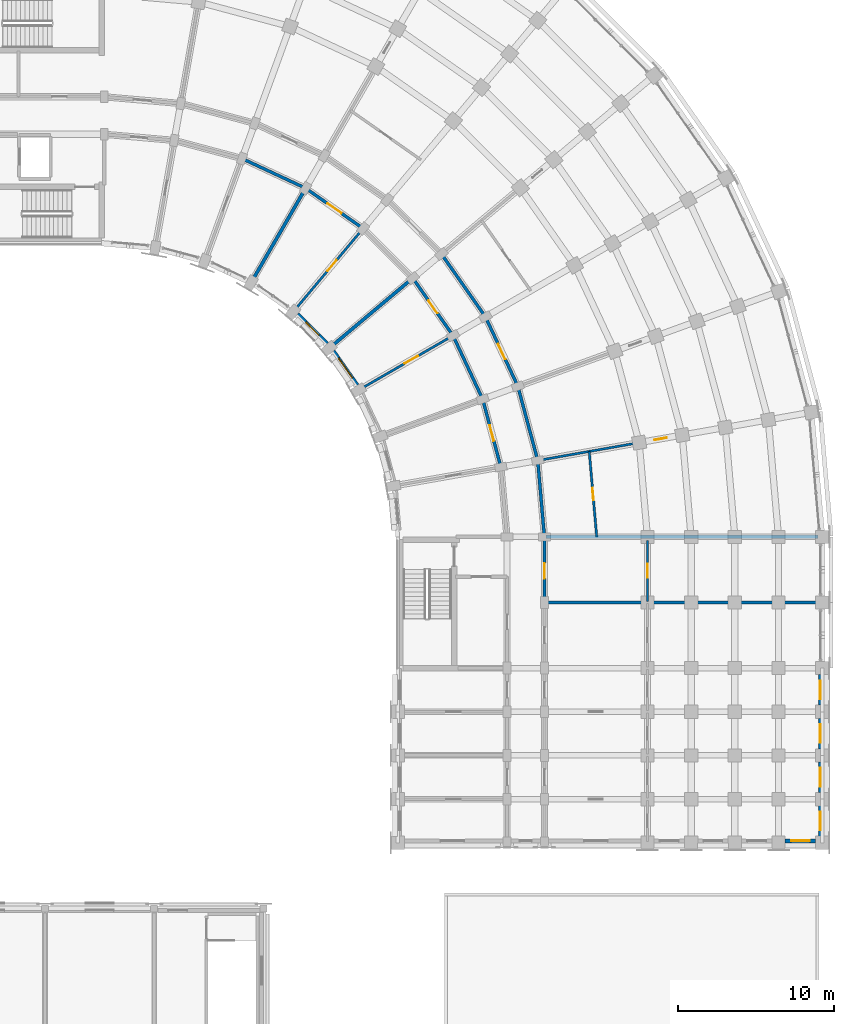
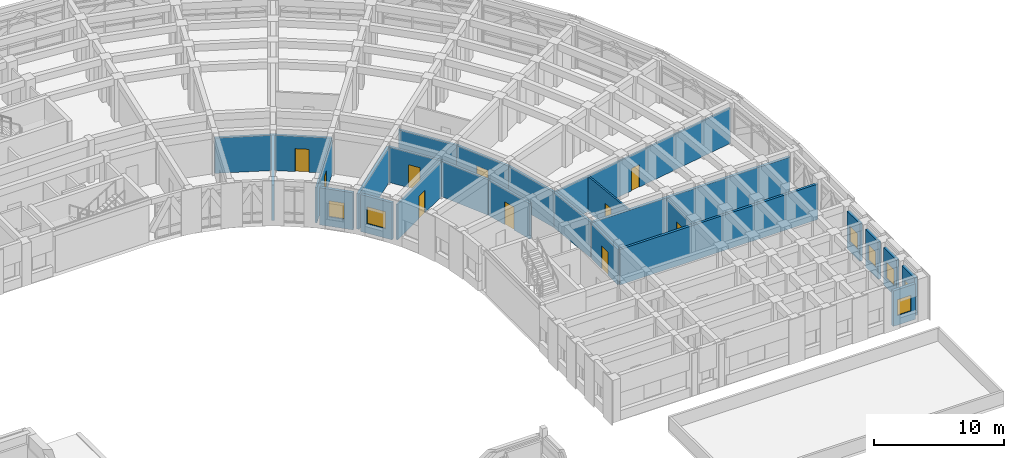
# One storey, part 77 of 97: 26 walls, 10 doors, 7 windows, 17 openings.
"""IFC4 building model written with IfcOpenShell, lengths in metres."""

from ifc_helpers import new_model, si_unit, direction, frame, frame_2d, origin, place, context, subcontext, project, spatial, rectangle, extrude, material, layer, layer_set, type_object, element, fill, save


model = new_model("IFC4")

# Units and contexts
model_context = context("Model", 3, precision=1e-05, world=origin(), true_north=direction((0.0, 1.0)))
body_context = subcontext(model_context, "Body", "Model", "MODEL_VIEW")
ifc_project = project(units=[si_unit("LENGTHUNIT", "METRE"), si_unit("AREAUNIT", "SQUARE_METRE"), si_unit("VOLUMEUNIT", "CUBIC_METRE"), si_unit("PLANEANGLEUNIT", "RADIAN"), si_unit("MASSUNIT", "GRAM", prefix="KILO")], contexts=[model_context])

# Site, building, storey
site_placement = place(None, origin())
site = spatial("IfcSite", under=ifc_project, at=site_placement, CompositionType="ELEMENT")
building_placement = place(site_placement, origin())
building = spatial("IfcBuilding", under=site, at=building_placement, Name="Kiranvali Square Residences", CompositionType="ELEMENT")
storey_placement = place(building_placement, frame((0.0, 0.0, 4.5)))
storey = spatial("IfcBuildingStorey", under=building, at=storey_placement, Name="L01", CompositionType="ELEMENT", Elevation=4.5)

# Wall
ifc_material_1 = material(Name="Autoclaved aerated concrete blockwork masonry", Category="masonry")
ifc_layer_1 = layer(ifc_material_1, 0.199951171875)
ifc_layer_set_1 = layer_set([ifc_layer_1], Name="Autoclaved aerated concrete blockwork masonry")
wall_type_1 = type_object("IfcWallType", Name="WL-COR-200", PredefinedType="STANDARD", material=ifc_layer_set_1)
wall_1_placement = place(storey_placement, frame((128.6240234375, 112.044189453125, 0.0), z_axis=(0.0, 0.0, 1.0), x_axis=(0.906307919131, -0.422617978463, 0.0)))
element("IfcWall", 1, at=wall_1_placement, inside=storey, type_object=wall_type_1, Name="L01 architectural wall WL-L01-B-CCI-2", PredefinedType="STANDARD", context=body_context, shape_type="SweptSolid", body=[
    extrude(rectangle(XDim=4.497314453125, YDim=0.199951171875, at=frame_2d((2.24853515625, 0.0))), origin(), (0.0, 0.0, 1.0), 3.322021484375),
])

# Wall, opening, door
wall_2_placement = place(storey_placement, frame((132.699951171875, 110.1435546875, 0.0), z_axis=(0.0, 0.0, 1.0), x_axis=(0.819155404658, -0.573571637217, 0.0)))
wall_2 = element("IfcWall", 2, at=wall_2_placement, inside=storey, type_object=wall_type_1, Name="L01 architectural wall WL-L01-B-CCI-3", PredefinedType="STANDARD", context=body_context, shape_type="SweptSolid", body=[
    extrude(rectangle(XDim=4.497314453125, YDim=0.199951171875, at=frame_2d((2.24853515625, 0.0))), origin(), (0.0, 0.0, 1.0), 3.322021484375),
])
opening_1_placement = place(wall_2_placement, frame((1.708740234375, 0.0, 0.0)))
opening_1 = element("IfcOpeningElement", 3, at=opening_1_placement, cuts=wall_2, Name="Opening FD-APT-60C", PredefinedType="OPENING", context=body_context, shape_type="SweptSolid", body=[
    extrude(rectangle(XDim=1.080078125, YDim=2.14990234375, at=frame_2d((0.5400390625, 1.074951171875))), frame((0.0, 0.10986328125, 0.0), z_axis=(0.0, -1.0, 0.0), x_axis=(1.0, 0.0, 0.0)), (0.0, 0.0, 1.0), 0.219970703125),
])
ifc_material_2 = material(Name="Fire-rated acoustic hardwood and mineral-core door assembly", Category="wood")
door_type_1 = type_object("IfcDoorType", Name="DR-APT-1080", OperationType="NOTDEFINED", PredefinedType="DOOR", material=ifc_material_2)
door_1_placement = place(opening_1_placement, frame((1.080078125, 0.0, 0.0), z_axis=(0.0, 0.0, 1.0), x_axis=(-1.0, 0.0, 0.0)))
door_1 = element("IfcDoor", 4, at=door_1_placement, inside=storey, type_object=door_type_1, Name="L01 door DR-L01-1044 (DR-APT-1080)", OperationType="SINGLE_SWING_RIGHT", OverallHeight=2.14990234375, OverallWidth=1.080078125, PredefinedType="DOOR", context=body_context, shape_type="SweptSolid", body=[
    extrude(rectangle(XDim=1.080078125, YDim=2.14990234375, at=frame_2d((0.5400390625, 1.074951171875))), frame((0.0, 0.02490234375, 0.0), z_axis=(0.0, -1.0, 0.0), x_axis=(1.0, 0.0, 0.0)), (0.0, 0.0, 1.0), 0.050048828125),
])
fill(opening_1, door_1)

wall_3_placement = place(storey_placement, frame((139.56396484375, 104.384033203125, 0.0), z_axis=(0.0, 0.0, 1.0), x_axis=(0.573571637217, -0.819155404658, 0.0)))
wall_3 = element("IfcWall", 5, at=wall_3_placement, inside=storey, type_object=wall_type_1, Name="L01 architectural wall WL-L01-B-CCI-5", PredefinedType="STANDARD", context=body_context, shape_type="SweptSolid", body=[
    extrude(rectangle(XDim=4.497314453125, YDim=0.199951171875, at=frame_2d((2.24853515625, 0.0))), origin(), (0.0, 0.0, 1.0), 3.322021484375),
])
opening_2_placement = place(wall_3_placement, frame((1.74853515625, 0.0, 0.0)))
opening_2 = element("IfcOpeningElement", 6, at=opening_2_placement, cuts=wall_3, Name="Opening FD-APT-60", PredefinedType="OPENING", context=body_context, shape_type="SweptSolid", body=[
    extrude(rectangle(XDim=1.0, YDim=2.14990234375, at=frame_2d((0.5, 1.074951171875))), frame((0.0, 0.10986328125, 0.0), z_axis=(0.0, -1.0, 0.0), x_axis=(1.0, 0.0, 0.0)), (0.0, 0.0, 1.0), 0.219970703125),
])
door_type_2 = type_object("IfcDoorType", Name="DR-APT-1000", OperationType="NOTDEFINED", PredefinedType="DOOR", material=ifc_material_2)
door_2_placement = place(opening_2_placement, origin())
door_2 = element("IfcDoor", 7, at=door_2_placement, inside=storey, type_object=door_type_2, Name="L01 door DR-L01-1045 (DR-APT-1000)", OperationType="SINGLE_SWING_LEFT", OverallHeight=2.14990234375, OverallWidth=1.0, PredefinedType="DOOR", context=body_context, shape_type="SweptSolid", body=[
    extrude(rectangle(XDim=1.0, YDim=2.14990234375, at=frame_2d((0.5, 1.074951171875))), frame((0.0, 0.02490234375, 0.0), z_axis=(0.0, -1.0, 0.0), x_axis=(1.0, 0.0, 0.0)), (0.0, 0.0, 1.0), 0.050048828125),
])
fill(opening_2, door_2)

# Walls
wall_4_placement = place(storey_placement, frame((141.40234375, 105.926513671875, 0.0), z_axis=(0.0, 0.0, 1.0), x_axis=(0.573592335331, -0.819140911474, 0.0)))
element("IfcWall", 8, at=wall_4_placement, inside=storey, type_object=wall_type_1, Name="L01 architectural wall WL-L01-B-CCO-5", PredefinedType="STANDARD", context=body_context, shape_type="SweptSolid", body=[
    extrude(rectangle(XDim=4.915771484375, YDim=0.199951171875, at=frame_2d((2.4580078125, 0.0))), origin(), (0.0, 0.0, 1.0), 3.322021484375),
])
wall_5_placement = place(storey_placement, frame((142.1435546875, 100.699951171875, 0.0), z_axis=(0.0, 0.0, 1.0), x_axis=(0.422617978463, -0.906307919131, 0.0)))
element("IfcWall", 9, at=wall_5_placement, inside=storey, type_object=wall_type_1, Name="L01 architectural wall WL-L01-B-CCI-6", PredefinedType="STANDARD", context=body_context, shape_type="SweptSolid", body=[
    extrude(rectangle(XDim=4.497314453125, YDim=0.199951171875, at=frame_2d((2.24853515625, 0.0))), origin(), (0.0, 0.0, 1.0), 3.322021484375),
])

# Wall, opening, door
wall_6_placement = place(storey_placement, frame((144.221923828125, 101.89990234375, 0.0), z_axis=(0.0, 0.0, 1.0), x_axis=(0.422629854778, -0.906302381024, 0.0)))
wall_6 = element("IfcWall", 10, at=wall_6_placement, inside=storey, type_object=wall_type_1, Name="L01 architectural wall WL-L01-B-CCO-6", PredefinedType="STANDARD", context=body_context, shape_type="SweptSolid", body=[
    extrude(rectangle(XDim=4.915283203125, YDim=0.199951171875, at=frame_2d((2.45751953125, 0.0))), origin(), (0.0, 0.0, 1.0), 3.322021484375),
])
opening_3_placement = place(wall_6_placement, frame((1.917724609375, 0.0, 0.0)))
opening_3 = element("IfcOpeningElement", 11, at=opening_3_placement, cuts=wall_6, Name="Opening FD-APT-60C", PredefinedType="OPENING", context=body_context, shape_type="SweptSolid", body=[
    extrude(rectangle(XDim=1.080078125, YDim=2.14990234375, at=frame_2d((0.5400390625, 1.074951171875))), frame((0.0, 0.10986328125, 0.0), z_axis=(0.0, -1.0, 0.0), x_axis=(1.0, 0.0, 0.0)), (0.0, 0.0, 1.0), 0.219970703125),
])
door_3_placement = place(opening_3_placement, origin())
door_3 = element("IfcDoor", 12, at=door_3_placement, inside=storey, type_object=door_type_1, Name="L01 door DR-L01-1041 (DR-APT-1080)", OperationType="SINGLE_SWING_LEFT", OverallHeight=2.14990234375, OverallWidth=1.080078125, PredefinedType="DOOR", context=body_context, shape_type="SweptSolid", body=[
    extrude(rectangle(XDim=1.080078125, YDim=2.14990234375, at=frame_2d((0.5400390625, 1.074951171875))), frame((0.0, 0.02490234375, 0.0), z_axis=(0.0, -1.0, 0.0), x_axis=(1.0, 0.0, 0.0)), (0.0, 0.0, 1.0), 0.050048828125),
])
fill(opening_3, door_3)

wall_7_placement = place(storey_placement, frame((144.044189453125, 96.6240234375, 0.0), z_axis=(0.0, 0.0, 1.0), x_axis=(0.258787642463, -0.965934240054, 0.0)))
wall_7 = element("IfcWall", 13, at=wall_7_placement, inside=storey, type_object=wall_type_1, Name="L01 architectural wall WL-L01-B-CCI-7", PredefinedType="STANDARD", context=body_context, shape_type="SweptSolid", body=[
    extrude(rectangle(XDim=4.497314453125, YDim=0.199951171875, at=frame_2d((2.24853515625, 0.0))), origin(), (0.0, 0.0, 1.0), 3.322021484375),
])
opening_4_placement = place(wall_7_placement, frame((1.728515625, 0.0, 0.0)))
opening_4 = element("IfcOpeningElement", 14, at=opening_4_placement, cuts=wall_7, Name="Opening FD-APT-60B", PredefinedType="OPENING", context=body_context, shape_type="SweptSolid", body=[
    extrude(rectangle(XDim=1.0400390625, YDim=2.14990234375, at=frame_2d((0.52001953125, 1.074951171875))), frame((0.0, 0.10986328125, 0.0), z_axis=(0.0, -1.0, 0.0), x_axis=(1.0, 0.0, 0.0)), (0.0, 0.0, 1.0), 0.219970703125),
])
door_type_3 = type_object("IfcDoorType", Name="DR-APT-1040", OperationType="NOTDEFINED", PredefinedType="DOOR", material=ifc_material_2)
door_4_placement = place(opening_4_placement, frame((1.0400390625, 0.0, 0.0), z_axis=(0.0, 0.0, 1.0), x_axis=(-1.0, 0.0, 0.0)))
door_4 = element("IfcDoor", 15, at=door_4_placement, inside=storey, type_object=door_type_3, Name="L01 door DR-L01-1046 (DR-APT-1040)", OperationType="SINGLE_SWING_RIGHT", OverallHeight=2.14990234375, OverallWidth=1.0400390625, PredefinedType="DOOR", context=body_context, shape_type="SweptSolid", body=[
    extrude(rectangle(XDim=1.0400390625, YDim=2.14990234375, at=frame_2d((0.52001953125, 1.074951171875))), frame((0.0, 0.02490234375, 0.0), z_axis=(0.0, -1.0, 0.0), x_axis=(1.0, 0.0, 0.0)), (0.0, 0.0, 1.0), 0.050048828125),
])
fill(opening_4, door_4)

# Walls
wall_8_placement = place(storey_placement, frame((146.29931640625, 97.445068359375, 0.0), z_axis=(0.0, 0.0, 1.0), x_axis=(0.258803112091, -0.965930095386, 0.0)))
element("IfcWall", 16, at=wall_8_placement, inside=storey, type_object=wall_type_1, Name="L01 architectural wall WL-L01-B-CCO-7", PredefinedType="STANDARD", context=body_context, shape_type="SweptSolid", body=[
    extrude(rectangle(XDim=4.915771484375, YDim=0.199951171875, at=frame_2d((2.4580078125, 0.0))), origin(), (0.0, 0.0, 1.0), 3.322021484375),
])
wall_9_placement = place(storey_placement, frame((147.571533203125, 92.69677734375, 0.0), z_axis=(0.0, 0.0, 1.0), x_axis=(0.087167566415, -0.996193663584, 0.0)))
element("IfcWall", 17, at=wall_9_placement, inside=storey, type_object=wall_type_1, Name="L01 architectural wall WL-L01-B-CCO-8", PredefinedType="STANDARD", context=body_context, shape_type="SweptSolid", body=[
    extrude(rectangle(XDim=4.91552734375, YDim=0.199951171875, at=frame_2d((2.457763671875, 0.0))), origin(), (0.0, 0.0, 1.0), 3.322021484375),
])

# Wall, opening, door
wall_10_placement = place(storey_placement, frame((148.0, 87.64990234375, 0.0), z_axis=(0.0, 0.0, 1.0), x_axis=(0.0, -1.0, 0.0)))
wall_10 = element("IfcWall", 18, at=wall_10_placement, inside=storey, type_object=wall_type_1, Name="L01 architectural wall WL-L01-B-A2CF-C0", PredefinedType="STANDARD", context=body_context, shape_type="SweptSolid", body=[
    extrude(rectangle(XDim=4.0498046875, YDim=0.199951171875, at=frame_2d((2.02490234375, 0.0))), origin(), (0.0, 0.0, 1.0), 3.322021484375),
])
opening_5_placement = place(wall_10_placement, frame((1.52490234375, 0.0, 0.0)))
opening_5 = element("IfcOpeningElement", 19, at=opening_5_placement, cuts=wall_10, Name="Opening FD-APT-60", PredefinedType="OPENING", context=body_context, shape_type="SweptSolid", body=[
    extrude(rectangle(XDim=1.0, YDim=2.14990234375, at=frame_2d((0.5, 1.074951171875))), frame((0.0, 0.10986328125, 0.0), z_axis=(0.0, -1.0, 0.0), x_axis=(1.0, 0.0, 0.0)), (0.0, 0.0, 1.0), 0.219970703125),
])
door_5_placement = place(opening_5_placement, origin())
door_5 = element("IfcDoor", 20, at=door_5_placement, inside=storey, type_object=door_type_2, Name="L01 door DR-L01-1047 (DR-APT-1000)", OperationType="SINGLE_SWING_LEFT", OverallHeight=2.14990234375, OverallWidth=1.0, PredefinedType="DOOR", context=body_context, shape_type="SweptSolid", body=[
    extrude(rectangle(XDim=1.0, YDim=2.14990234375, at=frame_2d((0.5, 1.074951171875))), frame((0.0, 0.02490234375, 0.0), z_axis=(0.0, -1.0, 0.0), x_axis=(1.0, 0.0, 0.0)), (0.0, 0.0, 1.0), 0.050048828125),
])
fill(opening_5, door_5)

# Walls
ifc_layer_2 = layer(ifc_material_1, 0.219970703125)
ifc_layer_set_2 = layer_set([ifc_layer_2], Name="Autoclaved aerated concrete blockwork masonry")
wall_type_2 = type_object("IfcWallType", Name="WL-DEM-220", PredefinedType="STANDARD", material=ifc_layer_set_2)
for number, where, z_axis, x_axis, name in (
    (21, (129.300048828125, 104.25439453125, 0.0), (0.0, 0.0, 1.0), (0.499997969693, 0.866026575979, 0.0), "L01 architectural wall WL-L01-B-RADI-3"),
    (22, (134.354736328125, 100.012939453125, 0.0), (0.0, 0.0, 1.0), (0.766046761698, 0.642784846501, 0.0), "L01 architectural wall WL-L01-B-RADI-5"),
):
    element("IfcWall", number, at=place(storey_placement, frame(where, z_axis=z_axis, x_axis=x_axis)), inside=storey, type_object=wall_type_2, Name=name, PredefinedType="STANDARD", context=body_context, shape_type="SweptSolid", body=[
        extrude(rectangle(XDim=6.75, YDim=0.219970703125, at=frame_2d((3.375, 0.0))), origin(), (0.0, 0.0, 1.0), 3.322021484375),
    ])
wall_11_placement = place(storey_placement, frame((148.050048828125, 83.60009765625, 0.0), z_axis=(0.0, 0.0, 1.0), x_axis=(1.0, 0.0, 0.0)))
element("IfcWall", 23, at=wall_11_placement, inside=storey, type_object=wall_type_2, Name="L01 architectural wall WL-L01-B-A2CF-MID", PredefinedType="STANDARD", context=body_context, shape_type="SweptSolid", body=[
    extrude(rectangle(XDim=17.530029296875, YDim=0.219970703125, at=frame_2d((8.76513671875, 0.0))), origin(), (0.0, 0.0, 1.0), 3.322021484375),
])
ifc_layer_3 = layer(ifc_material_1, 0.22998046875)
ifc_layer_set_3 = layer_set([ifc_layer_3], Name="Autoclaved aerated concrete blockwork masonry")
wall_type_3 = type_object("IfcWallType", Name="WL-DEM-230", PredefinedType="STANDARD", material=ifc_layer_set_3)
wall_12_placement = place(storey_placement, frame((148.10009765625, 87.800048828125, 0.0), z_axis=(0.0, 0.0, 1.0), x_axis=(1.0, 0.0, 0.0)))
element("IfcWall", 24, at=wall_12_placement, inside=storey, type_object=wall_type_3, Name="L01 architectural wall WL-L01-B-RADO-9", PredefinedType="STANDARD", context=body_context, shape_type="SweptSolid", body=[
    extrude(rectangle(XDim=17.419921875, YDim=0.22998046875, at=frame_2d((8.7099609375, 0.0))), origin(), (0.0, 0.0, 1.0), 3.322021484375),
])

# Wall, opening, window
ifc_material_3 = material(Name="Breathable lime-rendered clay brick masonry", Category="masonry")
ifc_layer_4 = layer(ifc_material_3, 0.25)
ifc_layer_set_4 = layer_set([ifc_layer_4], Name="Breathable lime-rendered clay brick masonry")
wall_type_4 = type_object("IfcWallType", Name="WL-EXT-250", PredefinedType="STANDARD", material=ifc_layer_set_4)
wall_13_placement = place(storey_placement, frame((132.1875, 102.0751953125, 0.0), z_axis=(0.0, 0.0, 1.0), x_axis=(0.707106781187, -0.707106781187, 0.0)))
wall_13 = element("IfcWall", 25, at=wall_13_placement, inside=storey, type_object=wall_type_4, Name="L01 exterior wall B-L01-GDN-04", PredefinedType="STANDARD", context=body_context, shape_type="SweptSolid", body=[
    extrude(rectangle(XDim=2.669677734375, YDim=0.25, at=frame_2d((1.3349609375, 0.0))), origin(), (0.0, 0.0, 1.0), 3.471923828125),
])
opening_6_placement = place(wall_13_placement, frame((0.73486328125, 0.0, 0.8798828125)))
opening_6 = element("IfcOpeningElement", 26, at=opening_6_placement, cuts=wall_13, Name="Opening W-06", PredefinedType="OPENING", context=body_context, shape_type="SweptSolid", body=[
    extrude(rectangle(XDim=1.199951171875, YDim=1.5, at=frame_2d((0.60009765625, 0.75))), frame((0.0, 0.135009765625, 0.0), z_axis=(0.0, -1.0, 0.0), x_axis=(1.0, 0.0, 0.0)), (0.0, 0.0, 1.0), 0.27001953125),
])
ifc_material_4 = material(Name="Solar-control low-e double glazing", Category="glass")
window_type_1 = type_object("IfcWindowType", Name="WIN-RES-1200x1500", PartitioningType="SINGLE_PANEL", PredefinedType="WINDOW", material=ifc_material_4)
window_1_placement = place(opening_6_placement, origin())
window_1 = element("IfcWindow", 27, at=window_1_placement, inside=storey, type_object=window_type_1, Name="L01 recessed window B-L01-GDN-04", OverallHeight=1.5, OverallWidth=1.199951171875, PartitioningType="SINGLE_PANEL", PredefinedType="WINDOW", context=body_context, shape_type="SweptSolid", body=[
    extrude(rectangle(XDim=1.199951171875, YDim=1.5, at=frame_2d((0.60009765625, 0.75))), frame((0.0, 0.030029296875, 0.0), z_axis=(0.0, -1.0, 0.0), x_axis=(1.0, 0.0, 0.0)), (0.0, 0.0, 1.0), 0.06005859375),
])
fill(opening_6, window_1)

wall_14_placement = place(storey_placement, frame((134.478271484375, 99.707275390625, 0.0), z_axis=(0.0, 0.0, 1.0), x_axis=(0.573591230309, -0.819141685249, 0.0)))
wall_14 = element("IfcWall", 28, at=wall_14_placement, inside=storey, type_object=wall_type_4, Name="L01 exterior wall B-L01-GDN-05", PredefinedType="STANDARD", context=body_context, shape_type="SweptSolid", body=[
    extrude(rectangle(XDim=2.669677734375, YDim=0.25, at=frame_2d((1.3349609375, 0.0))), origin(), (0.0, 0.0, 1.0), 3.471923828125),
])
opening_7_placement = place(wall_14_placement, frame((0.559814453125, 0.0, 0.8798828125)))
opening_7 = element("IfcOpeningElement", 29, at=opening_7_placement, cuts=wall_14, Name="Opening W-18", PredefinedType="OPENING", context=body_context, shape_type="SweptSolid", body=[
    extrude(rectangle(XDim=1.550048828125, YDim=1.60009765625, at=frame_2d((0.77490234375, 0.800048828125))), frame((0.0, 0.135009765625, 0.0), z_axis=(0.0, -1.0, 0.0), x_axis=(1.0, 0.0, 0.0)), (0.0, 0.0, 1.0), 0.27001953125),
])
window_type_2 = type_object("IfcWindowType", Name="WIN-GDN-1550x1600", PartitioningType="DOUBLE_PANEL_VERTICAL", PredefinedType="WINDOW", material=ifc_material_4)
window_2_placement = place(opening_7_placement, origin())
window_2 = element("IfcWindow", 30, at=window_2_placement, inside=storey, type_object=window_type_2, Name="L01 recessed window B-L01-GDN-05", OverallHeight=1.60009765625, OverallWidth=1.550048828125, PartitioningType="DOUBLE_PANEL_VERTICAL", PredefinedType="WINDOW", context=body_context, shape_type="SweptSolid", body=[
    extrude(rectangle(XDim=1.550048828125, YDim=1.60009765625, at=frame_2d((0.77490234375, 0.800048828125))), frame((0.0, 0.030029296875, 0.0), z_axis=(0.0, -1.0, 0.0), x_axis=(1.0, 0.0, 0.0)), (0.0, 0.0, 1.0), 0.06005859375),
])
fill(opening_7, window_2)

wall_15_placement = place(storey_placement, frame((165.675048828125, 78.97998046875, 0.0), z_axis=(0.0, 0.0, 1.0), x_axis=(0.0, -1.0, 0.0)))
wall_15 = element("IfcWall", 31, at=wall_15_placement, inside=storey, type_object=wall_type_4, Name="L01 exterior wall B-L01-A2O-2", PredefinedType="STANDARD", context=body_context, shape_type="SweptSolid", body=[
    extrude(rectangle(XDim=1.9599609375, YDim=0.25, at=frame_2d((0.97998046875, 0.0))), origin(), (0.0, 0.0, 1.0), 3.52197265625),
])
opening_8_placement = place(wall_15_placement, frame((0.3798828125, 0.0, 0.8798828125)))
opening_8 = element("IfcOpeningElement", 32, at=opening_8_placement, cuts=wall_15, Name="Opening W-06", PredefinedType="OPENING", context=body_context, shape_type="SweptSolid", body=[
    extrude(rectangle(XDim=1.199951171875, YDim=1.5, at=frame_2d((0.60009765625, 0.75))), frame((0.0, 0.135009765625, 0.0), z_axis=(0.0, -1.0, 0.0), x_axis=(1.0, 0.0, 0.0)), (0.0, 0.0, 1.0), 0.27001953125),
])
window_3_placement = place(opening_8_placement, origin())
window_3 = element("IfcWindow", 33, at=window_3_placement, inside=storey, type_object=window_type_1, Name="L01 recessed window B-L01-A2O-2", OverallHeight=1.5, OverallWidth=1.199951171875, PartitioningType="SINGLE_PANEL", PredefinedType="WINDOW", context=body_context, shape_type="SweptSolid", body=[
    extrude(rectangle(XDim=1.199951171875, YDim=1.5, at=frame_2d((0.60009765625, 0.75))), frame((0.0, 0.030029296875, 0.0), z_axis=(0.0, -1.0, 0.0), x_axis=(1.0, 0.0, 0.0)), (0.0, 0.0, 1.0), 0.06005859375),
])
fill(opening_8, window_3)

wall_16_placement = place(storey_placement, frame((165.675048828125, 76.179931640625, 0.0), z_axis=(0.0, 0.0, 1.0), x_axis=(0.0, -1.0, 0.0)))
wall_16 = element("IfcWall", 34, at=wall_16_placement, inside=storey, type_object=wall_type_4, Name="L01 exterior wall B-L01-A2O-3", PredefinedType="STANDARD", context=body_context, shape_type="SweptSolid", body=[
    extrude(rectangle(XDim=1.9599609375, YDim=0.25, at=frame_2d((0.97998046875, 0.0))), origin(), (0.0, 0.0, 1.0), 3.52197265625),
])
opening_9_placement = place(wall_16_placement, frame((0.3798828125, 0.0, 0.8798828125)))
opening_9 = element("IfcOpeningElement", 35, at=opening_9_placement, cuts=wall_16, Name="Opening W-06", PredefinedType="OPENING", context=body_context, shape_type="SweptSolid", body=[
    extrude(rectangle(XDim=1.199951171875, YDim=1.5, at=frame_2d((0.60009765625, 0.75))), frame((0.0, 0.135009765625, 0.0), z_axis=(0.0, -1.0, 0.0), x_axis=(1.0, 0.0, 0.0)), (0.0, 0.0, 1.0), 0.27001953125),
])
window_4_placement = place(opening_9_placement, origin())
window_4 = element("IfcWindow", 36, at=window_4_placement, inside=storey, type_object=window_type_1, Name="L01 recessed window B-L01-A2O-3", OverallHeight=1.5, OverallWidth=1.199951171875, PartitioningType="SINGLE_PANEL", PredefinedType="WINDOW", context=body_context, shape_type="SweptSolid", body=[
    extrude(rectangle(XDim=1.199951171875, YDim=1.5, at=frame_2d((0.60009765625, 0.75))), frame((0.0, 0.030029296875, 0.0), z_axis=(0.0, -1.0, 0.0), x_axis=(1.0, 0.0, 0.0)), (0.0, 0.0, 1.0), 0.06005859375),
])
fill(opening_9, window_4)

wall_17_placement = place(storey_placement, frame((165.675048828125, 73.3798828125, 0.0), z_axis=(0.0, 0.0, 1.0), x_axis=(0.0, -1.0, 0.0)))
wall_17 = element("IfcWall", 37, at=wall_17_placement, inside=storey, type_object=wall_type_4, Name="L01 exterior wall B-L01-A2O-4", PredefinedType="STANDARD", context=body_context, shape_type="SweptSolid", body=[
    extrude(rectangle(XDim=1.9599609375, YDim=0.25, at=frame_2d((0.97998046875, 0.0))), origin(), (0.0, 0.0, 1.0), 3.52197265625),
])
opening_10_placement = place(wall_17_placement, frame((0.3798828125, 0.0, 0.8798828125)))
opening_10 = element("IfcOpeningElement", 38, at=opening_10_placement, cuts=wall_17, Name="Opening W-06", PredefinedType="OPENING", context=body_context, shape_type="SweptSolid", body=[
    extrude(rectangle(XDim=1.199951171875, YDim=1.5, at=frame_2d((0.60009765625, 0.75))), frame((0.0, 0.135009765625, 0.0), z_axis=(0.0, -1.0, 0.0), x_axis=(1.0, 0.0, 0.0)), (0.0, 0.0, 1.0), 0.27001953125),
])
window_5_placement = place(opening_10_placement, origin())
window_5 = element("IfcWindow", 39, at=window_5_placement, inside=storey, type_object=window_type_1, Name="L01 recessed window B-L01-A2O-4", OverallHeight=1.5, OverallWidth=1.199951171875, PartitioningType="SINGLE_PANEL", PredefinedType="WINDOW", context=body_context, shape_type="SweptSolid", body=[
    extrude(rectangle(XDim=1.199951171875, YDim=1.5, at=frame_2d((0.60009765625, 0.75))), frame((0.0, 0.030029296875, 0.0), z_axis=(0.0, -1.0, 0.0), x_axis=(1.0, 0.0, 0.0)), (0.0, 0.0, 1.0), 0.06005859375),
])
fill(opening_10, window_5)

wall_18_placement = place(storey_placement, frame((165.675048828125, 70.580078125, 0.0), z_axis=(0.0, 0.0, 1.0), x_axis=(0.0, -1.0, 0.0)))
wall_18 = element("IfcWall", 40, at=wall_18_placement, inside=storey, type_object=wall_type_4, Name="L01 exterior wall B-L01-A2O-5", PredefinedType="STANDARD", context=body_context, shape_type="SweptSolid", body=[
    extrude(rectangle(XDim=1.9599609375, YDim=0.25, at=frame_2d((0.97998046875, 0.0))), origin(), (0.0, 0.0, 1.0), 3.52197265625),
])
opening_11_placement = place(wall_18_placement, frame((0.3798828125, 0.0, 0.8798828125)))
opening_11 = element("IfcOpeningElement", 41, at=opening_11_placement, cuts=wall_18, Name="Opening W-06", PredefinedType="OPENING", context=body_context, shape_type="SweptSolid", body=[
    extrude(rectangle(XDim=1.199951171875, YDim=1.5, at=frame_2d((0.60009765625, 0.75))), frame((0.0, 0.135009765625, 0.0), z_axis=(0.0, -1.0, 0.0), x_axis=(1.0, 0.0, 0.0)), (0.0, 0.0, 1.0), 0.27001953125),
])
window_6_placement = place(opening_11_placement, origin())
window_6 = element("IfcWindow", 42, at=window_6_placement, inside=storey, type_object=window_type_1, Name="L01 recessed window B-L01-A2O-5", OverallHeight=1.5, OverallWidth=1.199951171875, PartitioningType="SINGLE_PANEL", PredefinedType="WINDOW", context=body_context, shape_type="SweptSolid", body=[
    extrude(rectangle(XDim=1.199951171875, YDim=1.5, at=frame_2d((0.60009765625, 0.75))), frame((0.0, 0.030029296875, 0.0), z_axis=(0.0, -1.0, 0.0), x_axis=(1.0, 0.0, 0.0)), (0.0, 0.0, 1.0), 0.06005859375),
])
fill(opening_11, window_6)

wall_19_placement = place(storey_placement, frame((163.419921875, 68.324951171875, 0.0), z_axis=(0.0, 0.0, 1.0), x_axis=(1.0, 0.0, 0.0)))
wall_19 = element("IfcWall", 43, at=wall_19_placement, inside=storey, type_object=wall_type_4, Name="L01 exterior wall B-L01-A2END-6", PredefinedType="STANDARD", context=body_context, shape_type="SweptSolid", body=[
    extrude(rectangle(XDim=1.9599609375, YDim=0.25, at=frame_2d((0.97998046875, 0.0))), origin(), (0.0, 0.0, 1.0), 3.322021484375),
])
opening_12_placement = place(wall_19_placement, frame((0.3798828125, 0.0, 0.8798828125)))
opening_12 = element("IfcOpeningElement", 44, at=opening_12_placement, cuts=wall_19, Name="Opening W-06", PredefinedType="OPENING", context=body_context, shape_type="SweptSolid", body=[
    extrude(rectangle(XDim=1.199951171875, YDim=1.5, at=frame_2d((0.60009765625, 0.75))), frame((0.0, 0.135009765625, 0.0), z_axis=(0.0, -1.0, 0.0), x_axis=(1.0, 0.0, 0.0)), (0.0, 0.0, 1.0), 0.27001953125),
])
window_7_placement = place(opening_12_placement, origin())
window_7 = element("IfcWindow", 45, at=window_7_placement, inside=storey, type_object=window_type_1, Name="L01 recessed window B-L01-A2END-6", OverallHeight=1.5, OverallWidth=1.199951171875, PartitioningType="SINGLE_PANEL", PredefinedType="WINDOW", context=body_context, shape_type="SweptSolid", body=[
    extrude(rectangle(XDim=1.199951171875, YDim=1.5, at=frame_2d((0.60009765625, 0.75))), frame((0.0, 0.030029296875, 0.0), z_axis=(0.0, -1.0, 0.0), x_axis=(1.0, 0.0, 0.0)), (0.0, 0.0, 1.0), 0.06005859375),
])
fill(opening_12, window_7)

# Wall, opening, door
ifc_material_5 = material(Name="Acoustic gypsum board drylined partition", Category="gypsum")
ifc_layer_5 = layer(ifc_material_5, 0.14990234375)
ifc_layer_set_5 = layer_set([ifc_layer_5], Name="Acoustic gypsum board drylined partition")
wall_type_5 = type_object("IfcWallType", Name="WL-PRT-150", PredefinedType="PARTITIONING", material=ifc_layer_set_5)
wall_20_placement = place(storey_placement, frame((132.012939453125, 102.354736328125, 0.0), z_axis=(0.0, 0.0, 1.0), x_axis=(0.642784846501, 0.766046761698, 0.0)))
wall_20 = element("IfcWall", 46, at=wall_20_placement, inside=storey, type_object=wall_type_5, Name="L01 architectural wall WL-L01-B-RADI-4", PredefinedType="PARTITIONING", context=body_context, shape_type="SweptSolid", body=[
    extrude(rectangle(XDim=6.75, YDim=0.14990234375, at=frame_2d((3.375, 0.0))), origin(), (0.0, 0.0, 1.0), 3.322021484375),
])
opening_13_placement = place(wall_20_placement, frame((3.262451171875, 0.0, 0.0)))
opening_13 = element("IfcOpeningElement", 47, at=opening_13_placement, cuts=wall_20, Name="Opening ID-1", PredefinedType="OPENING", context=body_context, shape_type="SweptSolid", body=[
    extrude(rectangle(XDim=0.89990234375, YDim=2.10009765625, at=frame_2d((0.449951171875, 1.050048828125))), frame((0.0, 0.0849609375, 0.0), z_axis=(0.0, -1.0, 0.0), x_axis=(1.0, 0.0, 0.0)), (0.0, 0.0, 1.0), 0.169921875),
])
ifc_material_6 = material(Name="Solid seasoned teak hardwood joinery", Category="wood")
door_type_4 = type_object("IfcDoorType", Name="DR-INT-900", OperationType="NOTDEFINED", PredefinedType="DOOR", material=ifc_material_6)
door_6_placement = place(opening_13_placement, frame((0.89990234375, 0.0, 0.0), z_axis=(0.0, 0.0, 1.0), x_axis=(-1.0, 0.0, 0.0)))
door_6 = element("IfcDoor", 48, at=door_6_placement, inside=storey, type_object=door_type_4, Name="L01 door DR-L01-1030 (DR-INT-900)", OperationType="SINGLE_SWING_RIGHT", OverallHeight=2.10009765625, OverallWidth=0.89990234375, PredefinedType="DOOR", context=body_context, shape_type="SweptSolid", body=[
    extrude(rectangle(XDim=0.89990234375, YDim=2.10009765625, at=frame_2d((0.449951171875, 1.050048828125))), frame((0.0, 0.02490234375, 0.0), z_axis=(0.0, -1.0, 0.0), x_axis=(1.0, 0.0, 0.0)), (0.0, 0.0, 1.0), 0.050048828125),
])
fill(opening_13, door_6)

wall_21_placement = place(storey_placement, frame((136.25439453125, 97.300048828125, 0.0), z_axis=(0.0, 0.0, 1.0), x_axis=(0.866026575979, 0.499997969693, 0.0)))
wall_21 = element("IfcWall", 49, at=wall_21_placement, inside=storey, type_object=wall_type_5, Name="L01 architectural wall WL-L01-B-RADI-6", PredefinedType="PARTITIONING", context=body_context, shape_type="SweptSolid", body=[
    extrude(rectangle(XDim=6.75, YDim=0.14990234375, at=frame_2d((3.375, 0.0))), origin(), (0.0, 0.0, 1.0), 3.322021484375),
])
opening_14_placement = place(wall_21_placement, frame((3.222412109375, 0.0, 0.0)))
opening_14 = element("IfcOpeningElement", 50, at=opening_14_placement, cuts=wall_21, Name="Opening ID-3", PredefinedType="OPENING", context=body_context, shape_type="SweptSolid", body=[
    extrude(rectangle(XDim=0.97998046875, YDim=2.1201171875, at=frame_2d((0.489990234375, 1.06005859375))), frame((0.0, 0.0849609375, 0.0), z_axis=(0.0, -1.0, 0.0), x_axis=(1.0, 0.0, 0.0)), (0.0, 0.0, 1.0), 0.169921875),
])
door_type_5 = type_object("IfcDoorType", Name="DR-INT-980", OperationType="NOTDEFINED", PredefinedType="DOOR", material=ifc_material_6)
door_7_placement = place(opening_14_placement, frame((0.97998046875, 0.0, 0.0), z_axis=(0.0, 0.0, 1.0), x_axis=(-1.0, 0.0, 0.0)))
door_7 = element("IfcDoor", 51, at=door_7_placement, inside=storey, type_object=door_type_5, Name="L01 door DR-L01-1032 (DR-INT-980)", OperationType="SINGLE_SWING_RIGHT", OverallHeight=2.1201171875, OverallWidth=0.97998046875, PredefinedType="DOOR", context=body_context, shape_type="SweptSolid", body=[
    extrude(rectangle(XDim=0.97998046875, YDim=2.1201171875, at=frame_2d((0.489990234375, 1.06005859375))), frame((0.0, 0.02490234375, 0.0), z_axis=(0.0, -1.0, 0.0), x_axis=(1.0, 0.0, 0.0)), (0.0, 0.0, 1.0), 0.050048828125),
])
fill(opening_14, door_7)

wall_22_placement = place(storey_placement, frame((147.670166015625, 92.71435546875, 0.0), z_axis=(0.0, 0.0, 1.0), x_axis=(0.984808098809, 0.173646216546, 0.0)))
wall_22 = element("IfcWall", 52, at=wall_22_placement, inside=storey, type_object=wall_type_5, Name="L01 architectural wall WL-L01-B-RADO-8", PredefinedType="PARTITIONING", context=body_context, shape_type="SweptSolid", body=[
    extrude(rectangle(XDim=17.419921875, YDim=0.14990234375, at=frame_2d((8.7099609375, 0.0))), origin(), (0.0, 0.0, 1.0), 3.322021484375),
])
opening_15_placement = place(wall_22_placement, frame((7.5, 0.0, 0.0)))
opening_15 = element("IfcOpeningElement", 53, at=opening_15_placement, cuts=wall_22, Name="Opening ID-WET", PredefinedType="OPENING", context=body_context, shape_type="SweptSolid", body=[
    extrude(rectangle(XDim=0.800048828125, YDim=2.10009765625, at=frame_2d((0.39990234375, 1.050048828125))), frame((0.0, 0.0849609375, 0.0), z_axis=(0.0, -1.0, 0.0), x_axis=(1.0, 0.0, 0.0)), (0.0, 0.0, 1.0), 0.169921875),
])
door_type_6 = type_object("IfcDoorType", Name="DR-WET-800", OperationType="NOTDEFINED", PredefinedType="DOOR", material=ifc_material_6)
door_8_placement = place(opening_15_placement, origin())
door_8 = element("IfcDoor", 54, at=door_8_placement, inside=storey, type_object=door_type_6, Name="L01 door DR-L01-1035 (DR-WET-800)", OperationType="SINGLE_SWING_LEFT", OverallHeight=2.10009765625, OverallWidth=0.800048828125, PredefinedType="DOOR", context=body_context, shape_type="SweptSolid", body=[
    extrude(rectangle(XDim=0.800048828125, YDim=2.10009765625, at=frame_2d((0.39990234375, 1.050048828125))), frame((0.0, 0.02490234375, 0.0), z_axis=(0.0, -1.0, 0.0), x_axis=(1.0, 0.0, 0.0)), (0.0, 0.0, 1.0), 0.050048828125),
])
fill(opening_15, door_8)

wall_23_placement = place(storey_placement, frame((154.60009765625, 87.570068359375, 0.0), z_axis=(0.0, 0.0, 1.0), x_axis=(0.0, -1.0, 0.0)))
wall_23 = element("IfcWall", 55, at=wall_23_placement, inside=storey, type_object=wall_type_5, Name="L01 architectural wall WL-L01-B-A2CF-SP0", PredefinedType="PARTITIONING", context=body_context, shape_type="SweptSolid", body=[
    extrude(rectangle(XDim=3.89013671875, YDim=0.14990234375, at=frame_2d((1.945068359375, 0.0))), origin(), (0.0, 0.0, 1.0), 3.322021484375),
])
opening_16_placement = place(wall_23_placement, frame((1.4951171875, 0.0, 0.0)))
opening_16 = element("IfcOpeningElement", 56, at=opening_16_placement, cuts=wall_23, Name="Opening ID-1", PredefinedType="OPENING", context=body_context, shape_type="SweptSolid", body=[
    extrude(rectangle(XDim=0.89990234375, YDim=2.10009765625, at=frame_2d((0.449951171875, 1.050048828125))), frame((0.0, 0.0849609375, 0.0), z_axis=(0.0, -1.0, 0.0), x_axis=(1.0, 0.0, 0.0)), (0.0, 0.0, 1.0), 0.169921875),
])
door_9_placement = place(opening_16_placement, frame((0.89990234375, 0.0, 0.0), z_axis=(0.0, 0.0, 1.0), x_axis=(-1.0, 0.0, 0.0)))
door_9 = element("IfcDoor", 57, at=door_9_placement, inside=storey, type_object=door_type_4, Name="L01 door DR-L01-1048 (DR-INT-900)", OperationType="SINGLE_SWING_RIGHT", OverallHeight=2.10009765625, OverallWidth=0.89990234375, PredefinedType="DOOR", context=body_context, shape_type="SweptSolid", body=[
    extrude(rectangle(XDim=0.89990234375, YDim=2.10009765625, at=frame_2d((0.449951171875, 1.050048828125))), frame((0.0, 0.02490234375, 0.0), z_axis=(0.0, -1.0, 0.0), x_axis=(1.0, 0.0, 0.0)), (0.0, 0.0, 1.0), 0.050048828125),
])
fill(opening_16, door_9)

ifc_layer_6 = layer(ifc_material_1, 0.14990234375)
ifc_layer_set_6 = layer_set([ifc_layer_6], Name="Autoclaved aerated concrete blockwork masonry")
wall_type_6 = type_object("IfcWallType", Name="WL-WET-150", PredefinedType="PLUMBINGWALL", material=ifc_layer_set_6)
wall_24_placement = place(storey_placement, frame((150.87060546875, 93.278564453125, 0.0), z_axis=(0.0, 0.0, 1.0), x_axis=(0.087188978393, -0.996191789791, 0.0)))
wall_24 = element("IfcWall", 58, at=wall_24_placement, inside=storey, type_object=wall_type_6, Name="L01 architectural wall WL-L01-B-CWET-8", PredefinedType="PLUMBINGWALL", context=body_context, shape_type="SweptSolid", body=[
    extrude(rectangle(XDim=5.49951171875, YDim=0.14990234375, at=frame_2d((2.749755859375, 0.0))), origin(), (0.0, 0.0, 1.0), 3.322021484375),
])
opening_17_placement = place(wall_24_placement, frame((2.349853515625, 0.0, 0.0)))
opening_17 = element("IfcOpeningElement", 59, at=opening_17_placement, cuts=wall_24, Name="Opening ID-WET", PredefinedType="OPENING", context=body_context, shape_type="SweptSolid", body=[
    extrude(rectangle(XDim=0.800048828125, YDim=2.10009765625, at=frame_2d((0.39990234375, 1.050048828125))), frame((0.0, 0.0849609375, 0.0), z_axis=(0.0, -1.0, 0.0), x_axis=(1.0, 0.0, 0.0)), (0.0, 0.0, 1.0), 0.169921875),
])
door_10_placement = place(opening_17_placement, frame((0.800048828125, 0.0, 0.0), z_axis=(0.0, 0.0, 1.0), x_axis=(-1.0, 0.0, 0.0)))
door_10 = element("IfcDoor", 60, at=door_10_placement, inside=storey, type_object=door_type_6, Name="L01 door DR-L01-1042 (DR-WET-800)", OperationType="SINGLE_SWING_RIGHT", OverallHeight=2.10009765625, OverallWidth=0.800048828125, PredefinedType="DOOR", context=body_context, shape_type="SweptSolid", body=[
    extrude(rectangle(XDim=0.800048828125, YDim=2.10009765625, at=frame_2d((0.39990234375, 1.050048828125))), frame((0.0, 0.02490234375, 0.0), z_axis=(0.0, -1.0, 0.0), x_axis=(1.0, 0.0, 0.0)), (0.0, 0.0, 1.0), 0.050048828125),
])
fill(opening_17, door_10)

save(model, "model.ifc")
